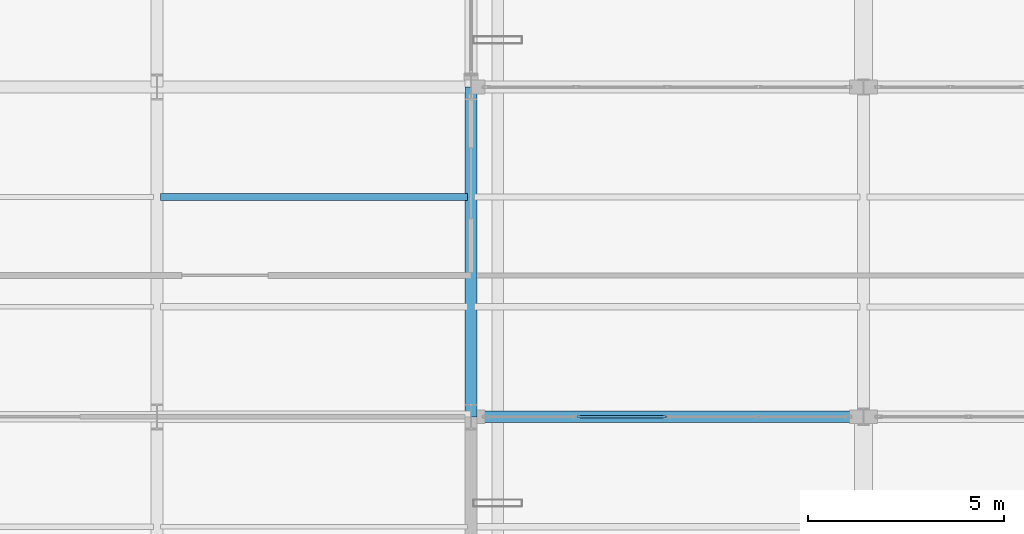
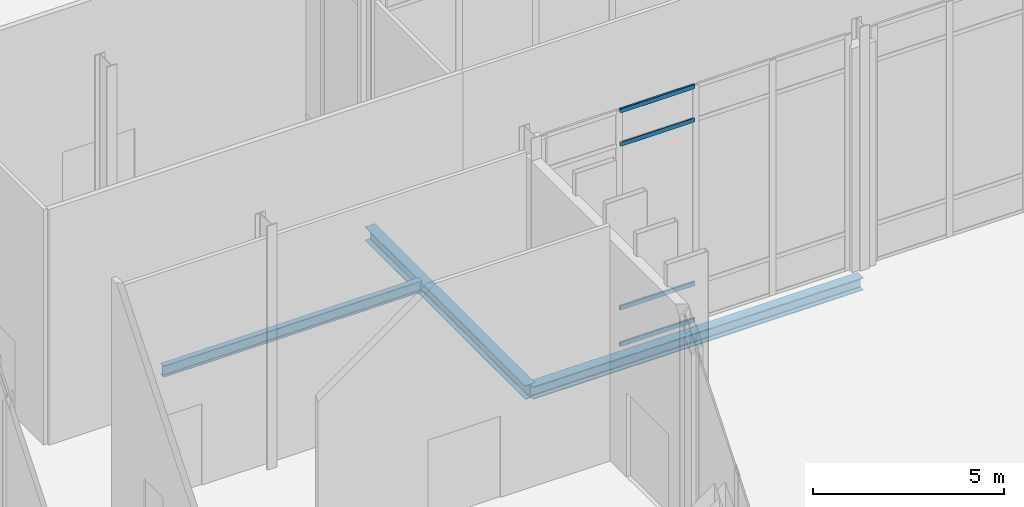
# One storey, part 96 of 176: 4 members, 3 beams, 1 element without a shape of its own.
"""IFC4 building model written with IfcOpenShell, lengths in metres."""

from ifc_helpers import new_model, si_unit, direction, frame, origin, origin_2d, place, context, subcontext, project, spatial, hollow_rectangle, i_section, extrude, material, layer, layer_set, material_profile, profile_set, type_object, element, aggregate, save


model = new_model("IFC4")

# Units and contexts
model_context = context("Model", 3, precision=1e-05, world=origin(), true_north=direction((0.0, 1.0)))
body_context = subcontext(model_context, "Body", "Model", "MODEL_VIEW")
ifc_project = project(units=[si_unit("LENGTHUNIT", "METRE"), si_unit("AREAUNIT", "SQUARE_METRE"), si_unit("VOLUMEUNIT", "CUBIC_METRE"), si_unit("PLANEANGLEUNIT", "RADIAN"), si_unit("MASSUNIT", "GRAM", prefix="KILO")], contexts=[model_context])

# Site, building, storey
site_placement = place(None, origin())
site = spatial("IfcSite", under=ifc_project, at=site_placement, CompositionType="ELEMENT")
building_placement = place(site_placement, origin())
building = spatial("IfcBuilding", under=site, at=building_placement, Name="Vekula Escarpment Museum", CompositionType="ELEMENT")
storey_placement = place(building_placement, origin())
storey = spatial("IfcBuildingStorey", under=building, at=storey_placement, Name="L01", CompositionType="ELEMENT", Elevation=0.0)

# Beams
ifc_material_1 = material(Name="Steel S355", Category="steel")
ifc_material_profile_1 = material_profile(ifc_material_1, i_section(OverallWidth=0.300048828125, OverallDepth=0.39990234375, WebThickness=0.013427734375, FlangeThickness=0.02392578125, FilletRadius=0.027099609375, at=origin_2d()), Name="HEB 400")
ifc_profile_set_1 = profile_set([ifc_material_profile_1], Name="Steel S355")
beam_type_1 = type_object("IfcBeamType", Name="BM-GIRD-HEB400", PredefinedType="BEAM", material=ifc_profile_set_1)
beam_1_placement = place(storey_placement, frame((126.0, 68.0, -0.5), z_axis=(1.0, 0.0, 0.0), x_axis=(0.0, 1.0, 0.0)))
element("IfcBeam", 1, at=beam_1_placement, inside=storey, type_object=beam_type_1, Name="Beam X L01 0199", PredefinedType="BEAM", context=body_context, shape_type="SweptSolid", body=[
    extrude(i_section(OverallWidth=0.300048828125, OverallDepth=0.39990234375, WebThickness=0.013427734375, FlangeThickness=0.02392578125, FilletRadius=0.027099609375, at=origin_2d()), origin(), (0.0, 0.0, 1.0), 10.0),
])
ifc_material_2 = material(Name="Steel S355", Category="steel")
ifc_material_profile_2 = material_profile(ifc_material_2, i_section(OverallWidth=0.169921875, OverallDepth=0.360107421875, WebThickness=0.008056640625, FlangeThickness=0.0126953125, FilletRadius=0.01806640625, at=origin_2d()), Name="IPE 360")
ifc_profile_set_2 = profile_set([ifc_material_profile_2], Name="Steel S355")
beam_type_2 = type_object("IfcBeamType", Name="BM-JST-IPE360", PredefinedType="JOIST", material=ifc_profile_set_2)
beam_2_placement = place(storey_placement, frame((118.090087890625, 73.60009765625, -0.47998046875), z_axis=(1.0, 0.0, 0.0), x_axis=(0.0, 1.0, 0.0)))
element("IfcBeam", 2, at=beam_2_placement, inside=storey, type_object=beam_type_2, Name="Secondary Joist L01 0398", PredefinedType="JOIST", context=body_context, shape_type="SweptSolid", body=[
    extrude(i_section(OverallWidth=0.169921875, OverallDepth=0.360107421875, WebThickness=0.008056640625, FlangeThickness=0.0126953125, FilletRadius=0.01806640625, at=origin_2d()), origin(), (0.0, 0.0, 1.0), 7.81982421875),
])
ifc_material_3 = material(Name="Steel S355", Category="steel")
ifc_material_profile_3 = material_profile(ifc_material_3, i_section(OverallWidth=0.300048828125, OverallDepth=0.43994140625, WebThickness=0.011474609375, FlangeThickness=0.02099609375, FilletRadius=0.027099609375, at=origin_2d()), Name="HEA 450")
ifc_profile_set_3 = profile_set([ifc_material_profile_3], Name="Steel S355")
beam_type_3 = type_object("IfcBeamType", Name="BM-SPAN-HEA450", PredefinedType="SPANDREL", material=ifc_profile_set_3)
beam_3_placement = place(storey_placement, frame((126.0, 68.0, -0.52001953125), z_axis=(0.0, 1.0, 0.0), x_axis=(-1.0, 0.0, 0.0)))
element("IfcBeam", 3, at=beam_3_placement, inside=storey, type_object=beam_type_3, Name="Beam Y L01 0658", PredefinedType="SPANDREL", context=body_context, shape_type="SweptSolid", body=[
    extrude(i_section(OverallWidth=0.300048828125, OverallDepth=0.43994140625, WebThickness=0.011474609375, FlangeThickness=0.02099609375, FilletRadius=0.027099609375, at=origin_2d()), origin(), (0.0, 0.0, 1.0), 8.39990234375),
])

# Curtain wall, members
ifc_material_4 = material(Name="Aluminium thermally broken framing", Category="aluminium")
ifc_layer = layer(ifc_material_4, 0.159912109375)
ifc_layer_set = layer_set([ifc_layer], Name="Aluminium thermally broken framing")
curtain_wall_type = type_object("IfcCurtainWallType", Name="CW-SYS-02", PredefinedType="NOTDEFINED", material=ifc_layer_set)
curtain_wall_placement = place(storey_placement, origin())
curtain_wall = element("IfcCurtainWall", 4, at=curtain_wall_placement, inside=storey, type_object=curtain_wall_type, Name="Curtain Wall CW-L01-012", PredefinedType="NOTDEFINED")
ifc_material_5 = material(Name="Aluminium anodized transom", Category="aluminium")
ifc_material_profile_4 = material_profile(ifc_material_5, hollow_rectangle(XDim=0.06494140625, YDim=0.139892578125, WallThickness=0.00390625, InnerFilletRadius=0.00390625, OuterFilletRadius=0.008056640625, at=origin_2d()), Name="ALU 140x65x4")
ifc_profile_set_4 = profile_set([ifc_material_profile_4], Name="Aluminium anodized transom")
member_type = type_object("IfcMemberType", Name="CW-TRN-140", PredefinedType="USERDEFINED", material=ifc_profile_set_4)
member_1_placement = place(storey_placement, frame((128.71240234375, 68.0, 0.032470703125), z_axis=(1.0, 0.0, 0.0), x_axis=(0.0, 1.0, 0.0)))
member_1 = element("IfcMember", 5, at=member_1_placement, type_object=member_type, Name="CW-02 transom 2.1", ObjectType="TRANSOM", PredefinedType="USERDEFINED", context=body_context, shape_type="SweptSolid", body=[
    extrude(hollow_rectangle(XDim=0.06494140625, YDim=0.139892578125, WallThickness=0.00390625, InnerFilletRadius=0.00390625, OuterFilletRadius=0.008056640625, at=origin_2d()), origin(), (0.0, 0.0, 1.0), 2.255126953125),
])
member_2_placement = place(storey_placement, frame((128.71240234375, 68.0, 1.199951171875), z_axis=(1.0, 0.0, 0.0), x_axis=(0.0, 1.0, 0.0)))
member_2 = element("IfcMember", 6, at=member_2_placement, type_object=member_type, Name="CW-02 transom 2.2", ObjectType="TRANSOM", PredefinedType="USERDEFINED", context=body_context, shape_type="SweptSolid", body=[
    extrude(hollow_rectangle(XDim=0.06494140625, YDim=0.139892578125, WallThickness=0.00390625, InnerFilletRadius=0.00390625, OuterFilletRadius=0.008056640625, at=origin_2d()), origin(), (0.0, 0.0, 1.0), 2.255126953125),
])
member_3_placement = place(storey_placement, frame((128.71240234375, 68.0, 6.43994140625), z_axis=(1.0, 0.0, 0.0), x_axis=(0.0, 1.0, 0.0)))
member_3 = element("IfcMember", 7, at=member_3_placement, type_object=member_type, Name="CW-02 transom 2.3", ObjectType="TRANSOM", PredefinedType="USERDEFINED", context=body_context, shape_type="SweptSolid", body=[
    extrude(hollow_rectangle(XDim=0.06494140625, YDim=0.139892578125, WallThickness=0.00390625, InnerFilletRadius=0.00390625, OuterFilletRadius=0.008056640625, at=origin_2d()), origin(), (0.0, 0.0, 1.0), 2.255126953125),
])
member_4_placement = place(storey_placement, frame((128.71240234375, 68.0, 7.507568359375), z_axis=(1.0, 0.0, 0.0), x_axis=(0.0, 1.0, 0.0)))
member_4 = element("IfcMember", 8, at=member_4_placement, type_object=member_type, Name="CW-02 transom 2.4", ObjectType="TRANSOM", PredefinedType="USERDEFINED", context=body_context, shape_type="SweptSolid", body=[
    extrude(hollow_rectangle(XDim=0.06494140625, YDim=0.139892578125, WallThickness=0.00390625, InnerFilletRadius=0.00390625, OuterFilletRadius=0.008056640625, at=origin_2d()), origin(), (0.0, 0.0, 1.0), 2.255126953125),
])
aggregate(curtain_wall, [member_1, member_2, member_3, member_4])

save(model, "model.ifc")
